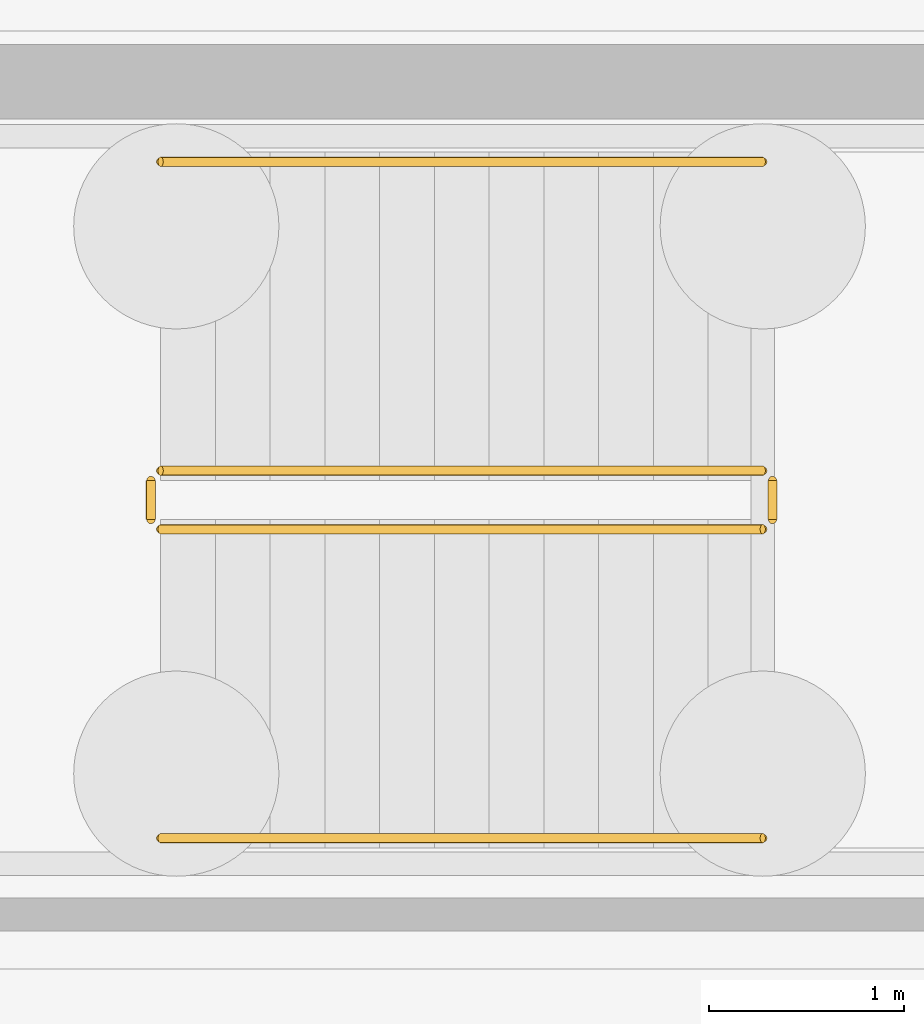
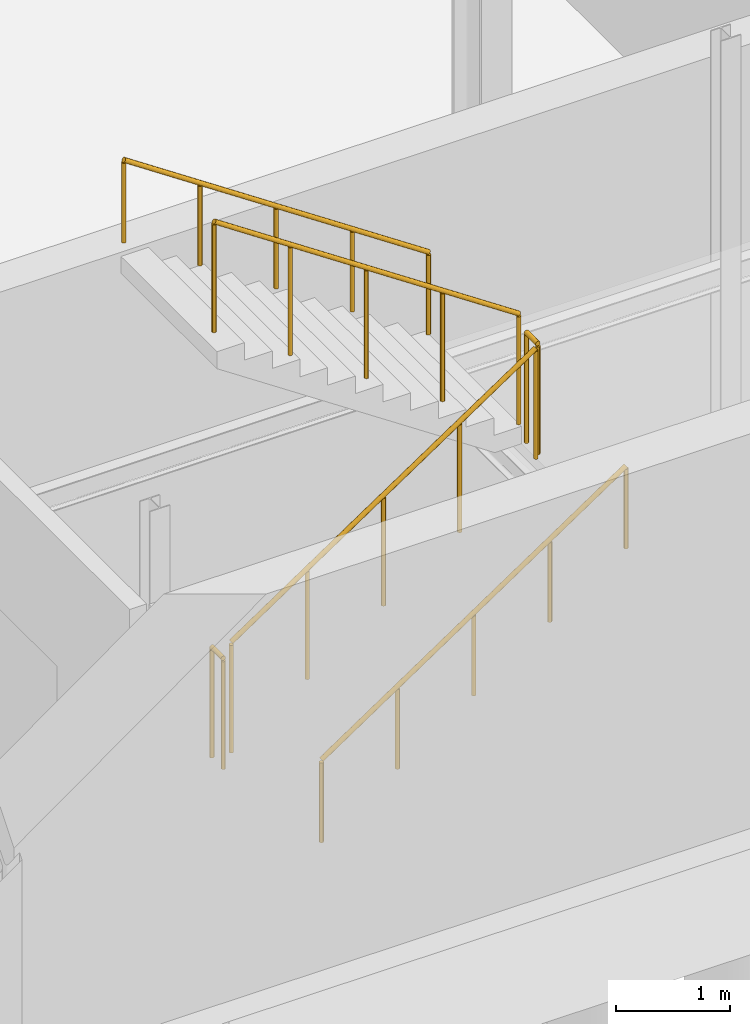
# One storey, part 42 of 47: 6 railings.
"""IFC4 building model written with IfcOpenShell, lengths in metres."""

import ifcopenshell
import ifcopenshell.guid

model = None  # the IFC model being written
_history = None  # IfcOwnerHistory: only IFC2X3 demands one
_inside = {}  # id of a spatial element -> (the spatial element, [elements in it])
_under = {}  # id of a project, library or spatial element -> (it, [spatial elements below it])
_declared = {}  # id of a project -> (the project, [libraries it declares])
_typed = {}  # id of a type object -> (the type object, [elements of that type])
_made_of = {}  # id of a material, layer set ... -> (it, [elements and type objects made of it])


def new_model(schema):
    """Start an empty IFC model of exactly this schema.

    Asked for "IFC4X3", IfcOpenShell would pick the latest addendum, in which some entities
    have other attributes; the version numbers below select the first issue.
    IFC2X3 requires an IfcOwnerHistory on every rooted entity: one is made here for all.
    """
    global model, _history
    if schema == "IFC4X3":
        model = ifcopenshell.file(schema_version=(4, 3, 0, 0))
    else:
        model = ifcopenshell.file(schema=schema)
    _inside.clear()
    _under.clear()
    _declared.clear()
    _typed.clear()
    _made_of.clear()
    _history = None
    if model.schema == "IFC2X3":
        org = make("IfcOrganization", Name="unknown")
        user = make(
            "IfcPersonAndOrganization",
            ThePerson=make("IfcPerson", FamilyName="unknown"),
            TheOrganization=org,
        )
        app = make(
            "IfcApplication",
            ApplicationDeveloper=org,
            Version="unknown",
            ApplicationFullName="unknown",
            ApplicationIdentifier="unknown",
        )
        _history = make(
            "IfcOwnerHistory",
            OwningUser=user,
            OwningApplication=app,
            ChangeAction="ADDED",
            CreationDate=0,
        )
    return model


def make(cls, **values):
    """One entity of the class cls with the attributes given. An attribute that is None is left unset."""
    return model.create_entity(
        cls, **{name: value for name, value in values.items() if value is not None}
    )


def rooted(cls, **values):
    """An entity with a GlobalId (a new one), such as an element, a storey or a relation."""
    return make(cls, GlobalId=ifcopenshell.guid.new(), OwnerHistory=_history, **values)


def si_unit(unit_type, name, prefix=None):
    """IfcSIUnit, for example si_unit("LENGTHUNIT", "METRE", prefix="MILLI")."""
    return make("IfcSIUnit", UnitType=unit_type, Prefix=prefix, Name=name)


def assignment(units):
    """IfcUnitAssignment: the units of a project."""
    return None if units is None else make("IfcUnitAssignment", Units=units)


def point(xyz):
    """IfcCartesianPoint."""
    return None if xyz is None else make("IfcCartesianPoint", Coordinates=xyz)


def direction(xyz):
    """IfcDirection."""
    return None if xyz is None else make("IfcDirection", DirectionRatios=xyz)


def frame(location, z_axis=None, x_axis=None):
    """IfcAxis2Placement3D, a coordinate frame: its origin and axes. An axis left out is left unset."""
    return make(
        "IfcAxis2Placement3D",
        Location=point(location),
        Axis=direction(z_axis),
        RefDirection=direction(x_axis),
    )


def frame_2d(location, x_axis=None):
    """IfcAxis2Placement2D, a coordinate frame in the plane: its origin and x axis."""
    return make(
        "IfcAxis2Placement2D", Location=point(location), RefDirection=direction(x_axis)
    )


def origin():
    """The frame at (0, 0, 0) with its axes left unset."""
    return frame((0.0, 0.0, 0.0))


def origin_2d():
    """The frame at (0, 0) in the plane with its x axis left unset."""
    return frame_2d((0.0, 0.0))


def place(relative_to, where):
    """IfcLocalPlacement: puts the frame where relative to a parent placement (None: the world)."""
    return make(
        "IfcLocalPlacement", PlacementRelTo=relative_to, RelativePlacement=where
    )


def context(
    kind, dimensions, precision=None, world=None, true_north=None, identifier=None
):
    """IfcGeometricRepresentationContext, for example the 3D "Model" context."""
    return make(
        "IfcGeometricRepresentationContext",
        ContextIdentifier=identifier,
        ContextType=kind,
        CoordinateSpaceDimension=dimensions,
        Precision=precision,
        WorldCoordinateSystem=world,
        TrueNorth=true_north,
    )


def subcontext(parent, identifier, kind, view, scale=None):
    """IfcGeometricRepresentationSubContext, for example "Body" below "Model"."""
    return make(
        "IfcGeometricRepresentationSubContext",
        ContextIdentifier=identifier,
        ContextType=kind,
        ParentContext=parent,
        TargetScale=scale,
        TargetView=view,
    )


def project(units=None, contexts=None):
    """IfcProject with its units and contexts."""
    return rooted(
        "IfcProject",
        Name="project",
        RepresentationContexts=contexts,
        UnitsInContext=assignment(units),
    )


def spatial(cls, under=None, at=None, **own):
    """A site, building, storey or space (cls), placed at a placement, below another one or the project."""
    s = rooted(cls, ObjectPlacement=at, **own)
    if under is not None:
        _under.setdefault(under.id(), (under, []))[1].append(s)
    return s


def profile(cls, at=None, kind="AREA", **sizes):
    """A parametric profile (cls). Its sizes go by their IFC names, for example OverallWidth=200.0."""
    return make(cls, ProfileType=kind, Position=at, **sizes)


def circle(**sizes):
    """IfcCircleProfileDef."""
    return profile("IfcCircleProfileDef", **sizes)


def extrude(swept, where, along, depth):
    """IfcExtrudedAreaSolid: the profile swept, set in the frame where, extruded along a direction by depth."""
    return make(
        "IfcExtrudedAreaSolid",
        SweptArea=swept,
        Position=where,
        ExtrudedDirection=direction(along),
        Depth=depth,
    )


def shape(context_of_items, identifier, shape_type, items):
    """IfcShapeRepresentation: the items that make up one representation, for example the "Body"."""
    return make(
        "IfcShapeRepresentation",
        ContextOfItems=context_of_items,
        RepresentationIdentifier=identifier,
        RepresentationType=shape_type,
        Items=items,
    )


def material(Name=None, Category=None):
    """IfcMaterial."""
    return make("IfcMaterial", Name=Name, Category=Category)


def made_of(thing, what):
    """Note that an element or type object is made of a material, layer set ...; save() writes the relation."""
    if what is not None:
        _made_of.setdefault(what.id(), (what, []))[1].append(thing)
    return thing


def type_object(cls, material=None, **own):
    """A type object (cls), such as IfcWallType, which elements share."""
    return made_of(rooted(cls, **own), material)


def element(
    cls,
    number,
    at=None,
    inside=None,
    cuts=None,
    type_object=None,
    material=None,
    context=None,
    identifier="Body",
    shape_type=None,
    held_by="IfcProductDefinitionShape",
    body=None,
    shapes=None,
    **own,
):
    """One element of the class cls, such as IfcWall. Its Tag is "e" and its number.

    at: its placement. inside: the storey or other place that contains it. cuts: it is an
    opening in that element (IfcRelVoidsElement). A single representation is given by context,
    identifier, shape_type and body (its items); several are given by shapes. held_by: the class
    of the entity that holds the representations. save() writes the other relations.
    """
    e = rooted(cls, Tag="e%d" % number, ObjectPlacement=at, **own)
    if body is not None:
        shapes = [shape(context, identifier, shape_type, body)]
    if shapes is not None:
        e.Representation = make(held_by, Representations=shapes)
    if inside is not None:
        _inside.setdefault(inside.id(), (inside, []))[1].append(e)
    if cuts is not None:
        rooted(
            "IfcRelVoidsElement", RelatingBuildingElement=cuts, RelatedOpeningElement=e
        )
    if type_object is not None:
        _typed.setdefault(type_object.id(), (type_object, []))[1].append(e)
    return made_of(e, material)


def aggregate(whole, parts):
    """IfcRelAggregates: a whole, such as a stair, and the parts it consists of."""
    return rooted("IfcRelAggregates", RelatingObject=whole, RelatedObjects=parts)


def save(model, path):
    """Write the relations noted so far, then the file.

    IfcRelAggregates (storeys below a building ...), IfcRelContainedInSpatialStructure (elements
    in a storey), IfcRelDefinesByType, IfcRelAssociatesMaterial and IfcRelDeclares: one each for
    every whole, place, type object, material and project.
    """
    for whole, parts in _under.values():
        aggregate(whole, parts)
    for where, things in _inside.values():
        rooted(
            "IfcRelContainedInSpatialStructure",
            RelatedElements=things,
            RelatingStructure=where,
        )
    for kind, things in _typed.values():
        rooted("IfcRelDefinesByType", RelatedObjects=things, RelatingType=kind)
    for what, things in _made_of.values():
        rooted("IfcRelAssociatesMaterial", RelatedObjects=things, RelatingMaterial=what)
    for by, libraries in _declared.values():
        rooted("IfcRelDeclares", RelatingContext=by, RelatedDefinitions=libraries)
    model.write(path)


model = new_model("IFC4")

# Units and contexts
model_context = context("Model", 3, precision=1e-05, world=origin(), true_north=direction((0.0, 1.0)))
body_context = subcontext(model_context, "Body", "Model", "MODEL_VIEW")
ifc_project = project(units=[si_unit("LENGTHUNIT", "METRE"), si_unit("AREAUNIT", "SQUARE_METRE"), si_unit("VOLUMEUNIT", "CUBIC_METRE"), si_unit("PLANEANGLEUNIT", "RADIAN"), si_unit("MASSUNIT", "GRAM", prefix="KILO")], contexts=[model_context])

# Site, building, storey
site_placement = place(None, origin())
site = spatial("IfcSite", under=ifc_project, at=site_placement, CompositionType="ELEMENT")
building_placement = place(site_placement, origin())
building = spatial("IfcBuilding", under=site, at=building_placement, Name="Alderhovde Museum", CompositionType="ELEMENT")
storey_placement = place(building_placement, frame((0.0, 0.0, -4.5)))
storey = spatial("IfcBuildingStorey", under=building, at=storey_placement, Name="B1", CompositionType="ELEMENT", Elevation=-4.5)

# Railings
ifc_material_1 = material(Name="Painted Steel S355 Guardrail", Category="steel")
railing_type_1 = type_object("IfcRailingType", Name="RL-GUARD-1200", PredefinedType="GUARDRAIL", material=ifc_material_1)
railing_1_placement = place(storey_placement, frame((23.280029296875, 50.830078125, 0.1875)))
element("IfcRailing", 1, at=railing_1_placement, inside=storey, type_object=railing_type_1, Name="B1 ST1 stair guard 1", PredefinedType="GUARDRAIL", context=body_context, shape_type="SweptSolid", body=[
    extrude(circle(Radius=0.02392578125, at=origin_2d()), frame((0.0, 0.0, 1.17578125), z_axis=(0.830913701846, 0.0, 0.55640131208), x_axis=(0.0, 1.0, 0.0)), (0.0, 0.0, 1.0), 3.706787109375),
    extrude(circle(Radius=0.02099609375, at=origin_2d()), origin(), (0.0, 0.0, 1.0), 1.15185546875),
    extrude(circle(Radius=0.02099609375, at=origin_2d()), frame((0.77001953125, 0.0, 0.515625)), (0.0, 0.0, 1.0), 1.15185546875),
    extrude(circle(Radius=0.02099609375, at=origin_2d()), frame((1.5400390625, 0.0, 1.03125)), (0.0, 0.0, 1.0), 1.15185546875),
    extrude(circle(Radius=0.02099609375, at=origin_2d()), frame((2.31005859375, 0.0, 1.546875)), (0.0, 0.0, 1.0), 1.15185546875),
    extrude(circle(Radius=0.02099609375, at=origin_2d()), frame((3.080078125, 0.0, 2.0625)), (0.0, 0.0, 1.0), 1.15185546875),
])
railing_2_placement = place(storey_placement, frame((26.409912109375, 50.8798828125, 2.25)))
element("IfcRailing", 2, at=railing_2_placement, inside=storey, type_object=railing_type_1, Name="B1 ST1 stair guard 2", PredefinedType="GUARDRAIL", context=body_context, shape_type="SweptSolid", body=[
    extrude(circle(Radius=0.02392578125, at=origin_2d()), frame((0.0, 0.0, 1.17578125), z_axis=(0.0, 1.0, 0.0), x_axis=(-1.0, 0.0, 0.0)), (0.0, 0.0, 1.0), 0.2001953125),
    extrude(circle(Radius=0.02099609375, at=origin_2d()), origin(), (0.0, 0.0, 1.0), 1.15185546875),
    extrude(circle(Radius=0.02099609375, at=origin_2d()), frame((0.0, 0.2001953125, 0.0)), (0.0, 0.0, 1.0), 1.15185546875),
])
railing_3_placement = place(storey_placement, frame((26.360107421875, 51.1298828125, 2.4375)))
element("IfcRailing", 3, at=railing_3_placement, inside=storey, type_object=railing_type_1, Name="B1 ST1 stair guard 3", PredefinedType="GUARDRAIL", context=body_context, shape_type="SweptSolid", body=[
    extrude(circle(Radius=0.02392578125, at=origin_2d()), frame((0.0, 0.0, 1.17578125), z_axis=(-0.830913701846, 0.0, 0.55640131208), x_axis=(0.0, -1.0, 0.0)), (0.0, 0.0, 1.0), 3.706787109375),
    extrude(circle(Radius=0.02099609375, at=origin_2d()), origin(), (0.0, 0.0, 1.0), 1.15185546875),
    extrude(circle(Radius=0.02099609375, at=origin_2d()), frame((-0.77001953125, 0.0, 0.515625)), (0.0, 0.0, 1.0), 1.15185546875),
    extrude(circle(Radius=0.02099609375, at=origin_2d()), frame((-1.5400390625, 0.0, 1.03125)), (0.0, 0.0, 1.0), 1.15185546875),
    extrude(circle(Radius=0.02099609375, at=origin_2d()), frame((-2.31005859375, 0.0, 1.546875)), (0.0, 0.0, 1.0), 1.15185546875),
    extrude(circle(Radius=0.02099609375, at=origin_2d()), frame((-3.080078125, 0.0, 2.0625)), (0.0, 0.0, 1.0), 1.15185546875),
])
railing_4_placement = place(storey_placement, frame((23.22998046875, 50.8798828125, 0.0)))
element("IfcRailing", 4, at=railing_4_placement, inside=storey, type_object=railing_type_1, Name="B1 ST1 stair guard 4", PredefinedType="GUARDRAIL", context=body_context, shape_type="SweptSolid", body=[
    extrude(circle(Radius=0.02392578125, at=origin_2d()), frame((0.0, 0.0, 1.17578125), z_axis=(0.0, 1.0, 0.0), x_axis=(-1.0, 0.0, 0.0)), (0.0, 0.0, 1.0), 0.2001953125),
    extrude(circle(Radius=0.02099609375, at=origin_2d()), origin(), (0.0, 0.0, 1.0), 1.15185546875),
    extrude(circle(Radius=0.02099609375, at=origin_2d()), frame((0.0, 0.2001953125, 0.0)), (0.0, 0.0, 1.0), 1.15185546875),
])
ifc_material_2 = material(Name="Brushed Stainless Steel Handrail", Category="steel")
railing_type_2 = type_object("IfcRailingType", Name="RL-HANDRAIL-900", PredefinedType="HANDRAIL", material=ifc_material_2)
railing_5_placement = place(storey_placement, frame((23.280029296875, 49.25, 0.1875)))
element("IfcRailing", 5, at=railing_5_placement, inside=storey, type_object=railing_type_2, Name="B1 ST1 stair handrail 1", PredefinedType="HANDRAIL", context=body_context, shape_type="SweptSolid", body=[
    extrude(circle(Radius=0.02392578125, at=origin_2d()), frame((0.0, 0.0, 0.8759765625), z_axis=(0.830913701846, 0.0, 0.55640131208), x_axis=(0.0, 1.0, 0.0)), (0.0, 0.0, 1.0), 3.706787109375),
    extrude(circle(Radius=0.02099609375, at=origin_2d()), origin(), (0.0, 0.0, 1.0), 0.851806640625),
    extrude(circle(Radius=0.02099609375, at=origin_2d()), frame((0.77001953125, 0.0, 0.515625)), (0.0, 0.0, 1.0), 0.851806640625),
    extrude(circle(Radius=0.02099609375, at=origin_2d()), frame((1.5400390625, 0.0, 1.03125)), (0.0, 0.0, 1.0), 0.851806640625),
    extrude(circle(Radius=0.02099609375, at=origin_2d()), frame((2.31005859375, 0.0, 1.546875)), (0.0, 0.0, 1.0), 0.851806640625),
    extrude(circle(Radius=0.02099609375, at=origin_2d()), frame((3.080078125, 0.0, 2.0625)), (0.0, 0.0, 1.0), 0.851806640625),
])
railing_6_placement = place(storey_placement, frame((26.360107421875, 52.7099609375, 2.4375)))
element("IfcRailing", 6, at=railing_6_placement, inside=storey, type_object=railing_type_2, Name="B1 ST1 stair handrail 2", PredefinedType="HANDRAIL", context=body_context, shape_type="SweptSolid", body=[
    extrude(circle(Radius=0.02392578125, at=origin_2d()), frame((0.0, 0.0, 0.8759765625), z_axis=(-0.830913701846, 0.0, 0.55640131208), x_axis=(0.0, -1.0, 0.0)), (0.0, 0.0, 1.0), 3.706787109375),
    extrude(circle(Radius=0.02099609375, at=origin_2d()), origin(), (0.0, 0.0, 1.0), 0.851806640625),
    extrude(circle(Radius=0.02099609375, at=origin_2d()), frame((-0.77001953125, 0.0, 0.515625)), (0.0, 0.0, 1.0), 0.851806640625),
    extrude(circle(Radius=0.02099609375, at=origin_2d()), frame((-1.5400390625, 0.0, 1.03125)), (0.0, 0.0, 1.0), 0.851806640625),
    extrude(circle(Radius=0.02099609375, at=origin_2d()), frame((-2.31005859375, 0.0, 1.546875)), (0.0, 0.0, 1.0), 0.851806640625),
    extrude(circle(Radius=0.02099609375, at=origin_2d()), frame((-3.080078125, 0.0, 2.0625)), (0.0, 0.0, 1.0), 0.851806640625),
])

save(model, "model.ifc")
